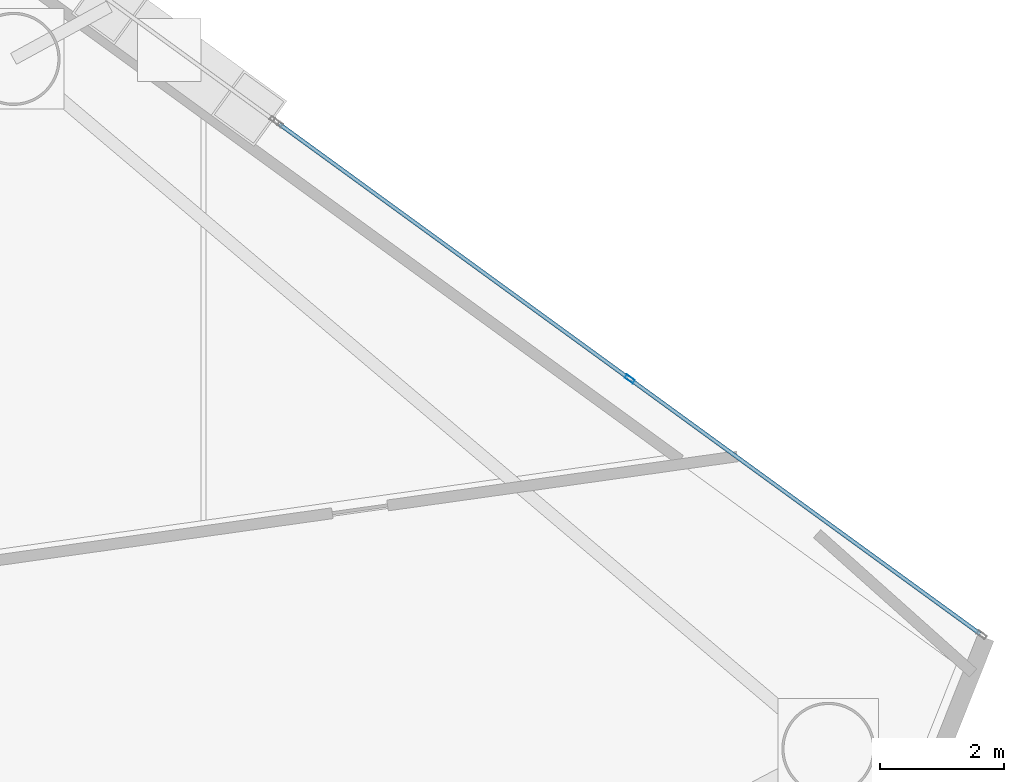
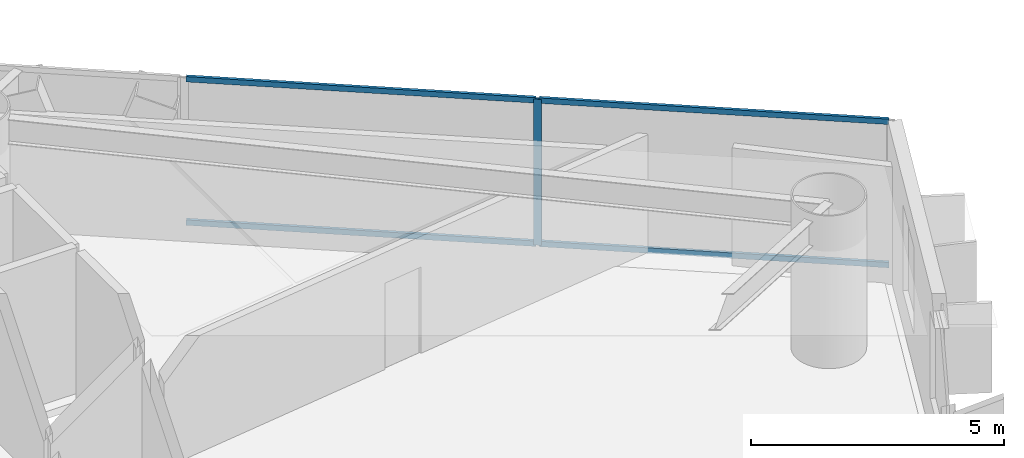
# One storey, part 10 of 18: 5 members, 1 element without a shape of its own.
"""IFC4 building model written with IfcOpenShell, lengths in metres."""

import ifcopenshell
import ifcopenshell.guid

model = None  # the IFC model being written
_history = None  # IfcOwnerHistory: only IFC2X3 demands one
_inside = {}  # id of a spatial element -> (the spatial element, [elements in it])
_under = {}  # id of a project, library or spatial element -> (it, [spatial elements below it])
_declared = {}  # id of a project -> (the project, [libraries it declares])
_typed = {}  # id of a type object -> (the type object, [elements of that type])
_made_of = {}  # id of a material, layer set ... -> (it, [elements and type objects made of it])


def new_model(schema):
    """Start an empty IFC model of exactly this schema.

    Asked for "IFC4X3", IfcOpenShell would pick the latest addendum, in which some entities
    have other attributes; the version numbers below select the first issue.
    IFC2X3 requires an IfcOwnerHistory on every rooted entity: one is made here for all.
    """
    global model, _history
    if schema == "IFC4X3":
        model = ifcopenshell.file(schema_version=(4, 3, 0, 0))
    else:
        model = ifcopenshell.file(schema=schema)
    _inside.clear()
    _under.clear()
    _declared.clear()
    _typed.clear()
    _made_of.clear()
    _history = None
    if model.schema == "IFC2X3":
        org = make("IfcOrganization", Name="unknown")
        user = make(
            "IfcPersonAndOrganization",
            ThePerson=make("IfcPerson", FamilyName="unknown"),
            TheOrganization=org,
        )
        app = make(
            "IfcApplication",
            ApplicationDeveloper=org,
            Version="unknown",
            ApplicationFullName="unknown",
            ApplicationIdentifier="unknown",
        )
        _history = make(
            "IfcOwnerHistory",
            OwningUser=user,
            OwningApplication=app,
            ChangeAction="ADDED",
            CreationDate=0,
        )
    return model


def make(cls, **values):
    """One entity of the class cls with the attributes given. An attribute that is None is left unset."""
    return model.create_entity(
        cls, **{name: value for name, value in values.items() if value is not None}
    )


def rooted(cls, **values):
    """An entity with a GlobalId (a new one), such as an element, a storey or a relation."""
    return make(cls, GlobalId=ifcopenshell.guid.new(), OwnerHistory=_history, **values)


def si_unit(unit_type, name, prefix=None):
    """IfcSIUnit, for example si_unit("LENGTHUNIT", "METRE", prefix="MILLI")."""
    return make("IfcSIUnit", UnitType=unit_type, Prefix=prefix, Name=name)


def assignment(units):
    """IfcUnitAssignment: the units of a project."""
    return None if units is None else make("IfcUnitAssignment", Units=units)


def point(xyz):
    """IfcCartesianPoint."""
    return None if xyz is None else make("IfcCartesianPoint", Coordinates=xyz)


def direction(xyz):
    """IfcDirection."""
    return None if xyz is None else make("IfcDirection", DirectionRatios=xyz)


def frame(location, z_axis=None, x_axis=None):
    """IfcAxis2Placement3D, a coordinate frame: its origin and axes. An axis left out is left unset."""
    return make(
        "IfcAxis2Placement3D",
        Location=point(location),
        Axis=direction(z_axis),
        RefDirection=direction(x_axis),
    )


def frame_2d(location, x_axis=None):
    """IfcAxis2Placement2D, a coordinate frame in the plane: its origin and x axis."""
    return make(
        "IfcAxis2Placement2D", Location=point(location), RefDirection=direction(x_axis)
    )


def origin():
    """The frame at (0, 0, 0) with its axes left unset."""
    return frame((0.0, 0.0, 0.0))


def origin_2d():
    """The frame at (0, 0) in the plane with its x axis left unset."""
    return frame_2d((0.0, 0.0))


def place(relative_to, where):
    """IfcLocalPlacement: puts the frame where relative to a parent placement (None: the world)."""
    return make(
        "IfcLocalPlacement", PlacementRelTo=relative_to, RelativePlacement=where
    )


def context(
    kind, dimensions, precision=None, world=None, true_north=None, identifier=None
):
    """IfcGeometricRepresentationContext, for example the 3D "Model" context."""
    return make(
        "IfcGeometricRepresentationContext",
        ContextIdentifier=identifier,
        ContextType=kind,
        CoordinateSpaceDimension=dimensions,
        Precision=precision,
        WorldCoordinateSystem=world,
        TrueNorth=true_north,
    )


def subcontext(parent, identifier, kind, view, scale=None):
    """IfcGeometricRepresentationSubContext, for example "Body" below "Model"."""
    return make(
        "IfcGeometricRepresentationSubContext",
        ContextIdentifier=identifier,
        ContextType=kind,
        ParentContext=parent,
        TargetScale=scale,
        TargetView=view,
    )


def project(units=None, contexts=None):
    """IfcProject with its units and contexts."""
    return rooted(
        "IfcProject",
        Name="project",
        RepresentationContexts=contexts,
        UnitsInContext=assignment(units),
    )


def spatial(cls, under=None, at=None, **own):
    """A site, building, storey or space (cls), placed at a placement, below another one or the project."""
    s = rooted(cls, ObjectPlacement=at, **own)
    if under is not None:
        _under.setdefault(under.id(), (under, []))[1].append(s)
    return s


def profile(cls, at=None, kind="AREA", **sizes):
    """A parametric profile (cls). Its sizes go by their IFC names, for example OverallWidth=200.0."""
    return make(cls, ProfileType=kind, Position=at, **sizes)


def hollow_rectangle(**sizes):
    """IfcRectangleHollowProfileDef."""
    return profile("IfcRectangleHollowProfileDef", **sizes)


def extrude(swept, where, along, depth):
    """IfcExtrudedAreaSolid: the profile swept, set in the frame where, extruded along a direction by depth."""
    return make(
        "IfcExtrudedAreaSolid",
        SweptArea=swept,
        Position=where,
        ExtrudedDirection=direction(along),
        Depth=depth,
    )


def shape(context_of_items, identifier, shape_type, items):
    """IfcShapeRepresentation: the items that make up one representation, for example the "Body"."""
    return make(
        "IfcShapeRepresentation",
        ContextOfItems=context_of_items,
        RepresentationIdentifier=identifier,
        RepresentationType=shape_type,
        Items=items,
    )


def material(Name=None, Category=None):
    """IfcMaterial."""
    return make("IfcMaterial", Name=Name, Category=Category)


def layer(
    of_material, thickness, ventilated=None, Name=None, Category=None, Priority=None
):
    """IfcMaterialLayer: one layer of a wall or slab, of a material (None: an air gap)."""
    return make(
        "IfcMaterialLayer",
        Material=of_material,
        LayerThickness=thickness,
        IsVentilated=ventilated,
        Name=Name,
        Category=Category,
        Priority=Priority,
    )


def layer_set(layers, Name=None):
    """IfcMaterialLayerSet."""
    return make("IfcMaterialLayerSet", MaterialLayers=layers, LayerSetName=Name)


def material_profile(
    of_material, cross_section, Name=None, Category=None, Priority=None
):
    """IfcMaterialProfile: a cross section and its material."""
    return make(
        "IfcMaterialProfile",
        Name=Name,
        Material=of_material,
        Profile=cross_section,
        Priority=Priority,
        Category=Category,
    )


def profile_set(profiles, Name=None, composite=None):
    """IfcMaterialProfileSet."""
    return make(
        "IfcMaterialProfileSet",
        Name=Name,
        MaterialProfiles=profiles,
        CompositeProfile=composite,
    )


def made_of(thing, what):
    """Note that an element or type object is made of a material, layer set ...; save() writes the relation."""
    if what is not None:
        _made_of.setdefault(what.id(), (what, []))[1].append(thing)
    return thing


def type_object(cls, material=None, **own):
    """A type object (cls), such as IfcWallType, which elements share."""
    return made_of(rooted(cls, **own), material)


def element(
    cls,
    number,
    at=None,
    inside=None,
    cuts=None,
    type_object=None,
    material=None,
    context=None,
    identifier="Body",
    shape_type=None,
    held_by="IfcProductDefinitionShape",
    body=None,
    shapes=None,
    **own,
):
    """One element of the class cls, such as IfcWall. Its Tag is "e" and its number.

    at: its placement. inside: the storey or other place that contains it. cuts: it is an
    opening in that element (IfcRelVoidsElement). A single representation is given by context,
    identifier, shape_type and body (its items); several are given by shapes. held_by: the class
    of the entity that holds the representations. save() writes the other relations.
    """
    e = rooted(cls, Tag="e%d" % number, ObjectPlacement=at, **own)
    if body is not None:
        shapes = [shape(context, identifier, shape_type, body)]
    if shapes is not None:
        e.Representation = make(held_by, Representations=shapes)
    if inside is not None:
        _inside.setdefault(inside.id(), (inside, []))[1].append(e)
    if cuts is not None:
        rooted(
            "IfcRelVoidsElement", RelatingBuildingElement=cuts, RelatedOpeningElement=e
        )
    if type_object is not None:
        _typed.setdefault(type_object.id(), (type_object, []))[1].append(e)
    return made_of(e, material)


def aggregate(whole, parts):
    """IfcRelAggregates: a whole, such as a stair, and the parts it consists of."""
    return rooted("IfcRelAggregates", RelatingObject=whole, RelatedObjects=parts)


def save(model, path):
    """Write the relations noted so far, then the file.

    IfcRelAggregates (storeys below a building ...), IfcRelContainedInSpatialStructure (elements
    in a storey), IfcRelDefinesByType, IfcRelAssociatesMaterial and IfcRelDeclares: one each for
    every whole, place, type object, material and project.
    """
    for whole, parts in _under.values():
        aggregate(whole, parts)
    for where, things in _inside.values():
        rooted(
            "IfcRelContainedInSpatialStructure",
            RelatedElements=things,
            RelatingStructure=where,
        )
    for kind, things in _typed.values():
        rooted("IfcRelDefinesByType", RelatedObjects=things, RelatingType=kind)
    for what, things in _made_of.values():
        rooted("IfcRelAssociatesMaterial", RelatedObjects=things, RelatingMaterial=what)
    for by, libraries in _declared.values():
        rooted("IfcRelDeclares", RelatingContext=by, RelatedDefinitions=libraries)
    model.write(path)


model = new_model("IFC4")

# Units and contexts
model_context = context("Model", 3, precision=1e-05, world=origin(), true_north=direction((0.0, 1.0)))
body_context = subcontext(model_context, "Body", "Model", "MODEL_VIEW")
ifc_project = project(units=[si_unit("LENGTHUNIT", "METRE"), si_unit("AREAUNIT", "SQUARE_METRE"), si_unit("VOLUMEUNIT", "CUBIC_METRE"), si_unit("PLANEANGLEUNIT", "RADIAN"), si_unit("MASSUNIT", "GRAM", prefix="KILO")], contexts=[model_context])

# Site, building, storey
site_placement = place(None, origin())
site = spatial("IfcSite", under=ifc_project, at=site_placement, CompositionType="ELEMENT")
building_placement = place(site_placement, origin())
building = spatial("IfcBuilding", under=site, at=building_placement, Name="Qianvela Tower", CompositionType="ELEMENT")
storey_placement = place(building_placement, frame((0.0, 0.0, 97.800048828125)))
storey = spatial("IfcBuildingStorey", under=building, at=storey_placement, Name="L24", CompositionType="ELEMENT", Elevation=97.800048828125)

# Curtain wall, members
ifc_material_1 = material(Name="Anodised Architectural Aluminium and Low-E Glass", Category="aluminium")
ifc_layer = layer(ifc_material_1, 0.169921875)
ifc_layer_set = layer_set([ifc_layer], Name="Anodised Architectural Aluminium and Low-E Glass")
curtain_wall_type = type_object("IfcCurtainWallType", Name="CW-COLIV-Z34", PredefinedType="USERDEFINED", material=ifc_layer_set)
curtain_wall_placement = place(storey_placement, origin())
curtain_wall = element("IfcCurtainWall", 1, at=curtain_wall_placement, inside=storey, type_object=curtain_wall_type, Name="L24 CW-COLIV-Z34 Curtain Wall 02A", ObjectType="CURTAIN_WALL_SYSTEM", PredefinedType="USERDEFINED")
ifc_material_2 = material(Name="Anodised Architectural Aluminium 6063-T6", Category="aluminium")
ifc_material_profile_1 = material_profile(ifc_material_2, hollow_rectangle(XDim=0.06494140625, YDim=0.159912109375, WallThickness=0.0048828125, at=origin_2d()), Name="ALU-MULL-65x160")
ifc_profile_set_1 = profile_set([ifc_material_profile_1], Name="Anodised Architectural Aluminium 6063-T6")
member_type_1 = type_object("IfcMemberType", Name="CW-COLIV-Z34-MULL", PredefinedType="MULLION", material=ifc_profile_set_1)
member_1_placement = place(storey_placement, frame((53.9951171875, 29.915283203125, 0.0), z_axis=(0.0, 0.0, 1.0), x_axis=(-0.588251931147, -0.808677726602, 0.0)))
member_1 = element("IfcMember", 2, at=member_1_placement, type_object=member_type_1, Name="CW-4 mullion 2", PredefinedType="MULLION", context=body_context, shape_type="SweptSolid", body=[
    extrude(hollow_rectangle(XDim=0.06494140625, YDim=0.159912109375, WallThickness=0.0048828125, at=origin_2d()), origin(), (0.0, 0.0, 1.0), 3.52001953125),
])
ifc_material_3 = material(Name="Anodised Architectural Aluminium 6063-T6", Category="aluminium")
ifc_material_profile_2 = material_profile(ifc_material_3, hollow_rectangle(XDim=0.06494140625, YDim=0.1298828125, WallThickness=0.00439453125, at=origin_2d()), Name="ALU-TRAN-65x130")
ifc_profile_set_2 = profile_set([ifc_material_profile_2], Name="Anodised Architectural Aluminium 6063-T6")
member_type_2 = type_object("IfcMemberType", Name="CW-COLIV-Z34-TRAN", PredefinedType="USERDEFINED", material=ifc_profile_set_2)
member_2_placement = place(storey_placement, frame((59.6357421875, 25.812255859375, 0.032470703125), z_axis=(-0.808691981166, 0.588232334709, 0.0), x_axis=(-0.588232334709, -0.808691981166, 0.0)))
member_2 = element("IfcMember", 3, at=member_2_placement, type_object=member_type_2, Name="CW-4 transom 1.1", ObjectType="TRANSOM", PredefinedType="USERDEFINED", context=body_context, shape_type="SweptSolid", body=[
    extrude(hollow_rectangle(XDim=0.06494140625, YDim=0.1298828125, WallThickness=0.00439453125, at=origin_2d()), origin(), (0.0, 0.0, 1.0), 6.9423828125),
])
member_3_placement = place(storey_placement, frame((59.6357421875, 25.812255859375, 3.487548828125), z_axis=(-0.808691981166, 0.588232334709, 0.0), x_axis=(-0.588232334709, -0.808691981166, 0.0)))
member_3 = element("IfcMember", 4, at=member_3_placement, type_object=member_type_2, Name="CW-4 transom 1.2", ObjectType="TRANSOM", PredefinedType="USERDEFINED", context=body_context, shape_type="SweptSolid", body=[
    extrude(hollow_rectangle(XDim=0.06494140625, YDim=0.1298828125, WallThickness=0.00439453125, at=origin_2d()), origin(), (0.0, 0.0, 1.0), 6.9423828125),
])
member_4_placement = place(storey_placement, frame((53.968994140625, 29.934326171875, 0.032470703125), z_axis=(-0.808675252459, 0.588255332368, 0.0), x_axis=(-0.588255332368, -0.808675252459, 0.0)))
member_4 = element("IfcMember", 5, at=member_4_placement, type_object=member_type_2, Name="CW-4 transom 2.1", ObjectType="TRANSOM", PredefinedType="USERDEFINED", context=body_context, shape_type="SweptSolid", body=[
    extrude(hollow_rectangle(XDim=0.06494140625, YDim=0.1298828125, WallThickness=0.00439453125, at=origin_2d()), origin(), (0.0, 0.0, 1.0), 6.942626953125),
])
member_5_placement = place(storey_placement, frame((53.968994140625, 29.934326171875, 3.487548828125), z_axis=(-0.808675252459, 0.588255332368, 0.0), x_axis=(-0.588255332368, -0.808675252459, 0.0)))
member_5 = element("IfcMember", 6, at=member_5_placement, type_object=member_type_2, Name="CW-4 transom 2.2", ObjectType="TRANSOM", PredefinedType="USERDEFINED", context=body_context, shape_type="SweptSolid", body=[
    extrude(hollow_rectangle(XDim=0.06494140625, YDim=0.1298828125, WallThickness=0.00439453125, at=origin_2d()), origin(), (0.0, 0.0, 1.0), 6.942626953125),
])
aggregate(curtain_wall, [member_1, member_2, member_3, member_4, member_5])

save(model, "model.ifc")
